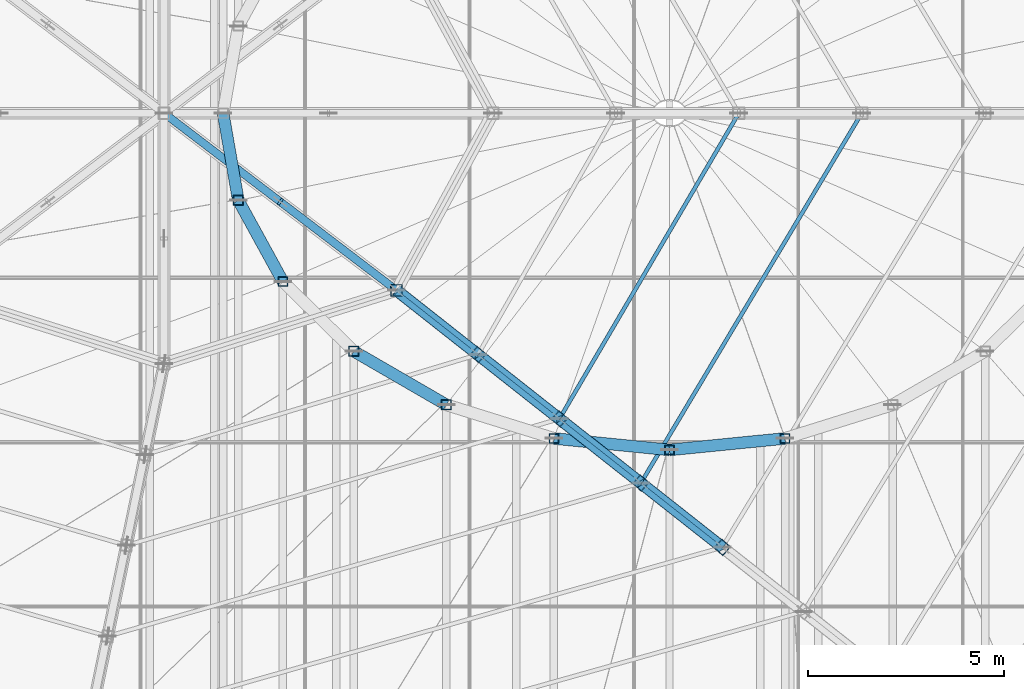
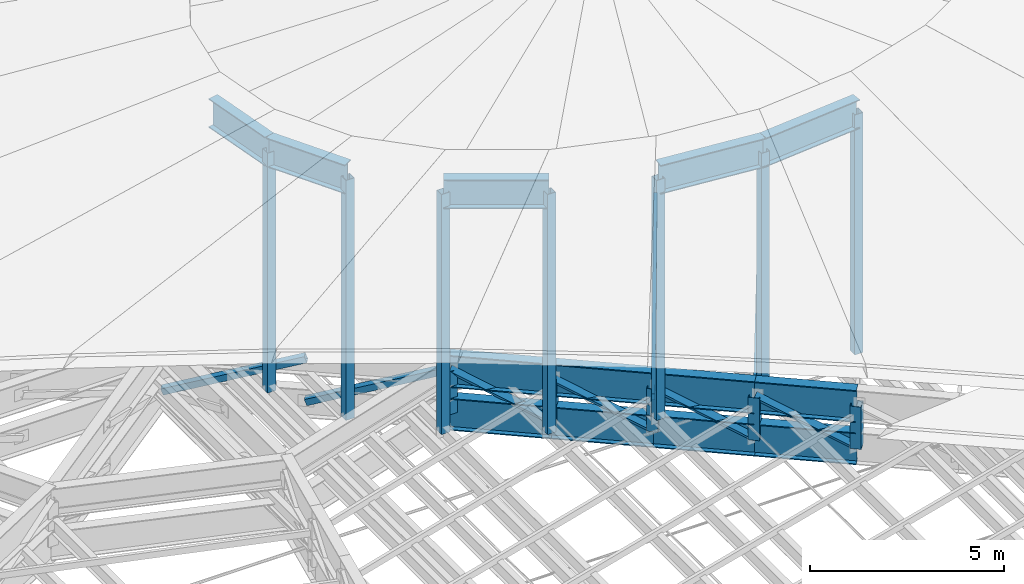
# One storey, part 61 of 184: 20 members, 13 beams.
"""IFC4 building model written with IfcOpenShell, lengths in metres."""

import ifcopenshell
import ifcopenshell.guid

model = None  # the IFC model being written
_history = None  # IfcOwnerHistory: only IFC2X3 demands one
_inside = {}  # id of a spatial element -> (the spatial element, [elements in it])
_under = {}  # id of a project, library or spatial element -> (it, [spatial elements below it])
_declared = {}  # id of a project -> (the project, [libraries it declares])
_typed = {}  # id of a type object -> (the type object, [elements of that type])
_made_of = {}  # id of a material, layer set ... -> (it, [elements and type objects made of it])


def new_model(schema):
    """Start an empty IFC model of exactly this schema.

    Asked for "IFC4X3", IfcOpenShell would pick the latest addendum, in which some entities
    have other attributes; the version numbers below select the first issue.
    IFC2X3 requires an IfcOwnerHistory on every rooted entity: one is made here for all.
    """
    global model, _history
    if schema == "IFC4X3":
        model = ifcopenshell.file(schema_version=(4, 3, 0, 0))
    else:
        model = ifcopenshell.file(schema=schema)
    _inside.clear()
    _under.clear()
    _declared.clear()
    _typed.clear()
    _made_of.clear()
    _history = None
    if model.schema == "IFC2X3":
        org = make("IfcOrganization", Name="unknown")
        user = make(
            "IfcPersonAndOrganization",
            ThePerson=make("IfcPerson", FamilyName="unknown"),
            TheOrganization=org,
        )
        app = make(
            "IfcApplication",
            ApplicationDeveloper=org,
            Version="unknown",
            ApplicationFullName="unknown",
            ApplicationIdentifier="unknown",
        )
        _history = make(
            "IfcOwnerHistory",
            OwningUser=user,
            OwningApplication=app,
            ChangeAction="ADDED",
            CreationDate=0,
        )
    return model


def make(cls, **values):
    """One entity of the class cls with the attributes given. An attribute that is None is left unset."""
    return model.create_entity(
        cls, **{name: value for name, value in values.items() if value is not None}
    )


def rooted(cls, **values):
    """An entity with a GlobalId (a new one), such as an element, a storey or a relation."""
    return make(cls, GlobalId=ifcopenshell.guid.new(), OwnerHistory=_history, **values)


def si_unit(unit_type, name, prefix=None):
    """IfcSIUnit, for example si_unit("LENGTHUNIT", "METRE", prefix="MILLI")."""
    return make("IfcSIUnit", UnitType=unit_type, Prefix=prefix, Name=name)


def assignment(units):
    """IfcUnitAssignment: the units of a project."""
    return None if units is None else make("IfcUnitAssignment", Units=units)


def point(xyz):
    """IfcCartesianPoint."""
    return None if xyz is None else make("IfcCartesianPoint", Coordinates=xyz)


def direction(xyz):
    """IfcDirection."""
    return None if xyz is None else make("IfcDirection", DirectionRatios=xyz)


def frame(location, z_axis=None, x_axis=None):
    """IfcAxis2Placement3D, a coordinate frame: its origin and axes. An axis left out is left unset."""
    return make(
        "IfcAxis2Placement3D",
        Location=point(location),
        Axis=direction(z_axis),
        RefDirection=direction(x_axis),
    )


def frame_2d(location, x_axis=None):
    """IfcAxis2Placement2D, a coordinate frame in the plane: its origin and x axis."""
    return make(
        "IfcAxis2Placement2D", Location=point(location), RefDirection=direction(x_axis)
    )


def origin():
    """The frame at (0, 0, 0) with its axes left unset."""
    return frame((0.0, 0.0, 0.0))


def origin_2d():
    """The frame at (0, 0) in the plane with its x axis left unset."""
    return frame_2d((0.0, 0.0))


def place(relative_to, where):
    """IfcLocalPlacement: puts the frame where relative to a parent placement (None: the world)."""
    return make(
        "IfcLocalPlacement", PlacementRelTo=relative_to, RelativePlacement=where
    )


def context(
    kind, dimensions, precision=None, world=None, true_north=None, identifier=None
):
    """IfcGeometricRepresentationContext, for example the 3D "Model" context."""
    return make(
        "IfcGeometricRepresentationContext",
        ContextIdentifier=identifier,
        ContextType=kind,
        CoordinateSpaceDimension=dimensions,
        Precision=precision,
        WorldCoordinateSystem=world,
        TrueNorth=true_north,
    )


def subcontext(parent, identifier, kind, view, scale=None):
    """IfcGeometricRepresentationSubContext, for example "Body" below "Model"."""
    return make(
        "IfcGeometricRepresentationSubContext",
        ContextIdentifier=identifier,
        ContextType=kind,
        ParentContext=parent,
        TargetScale=scale,
        TargetView=view,
    )


def project(units=None, contexts=None):
    """IfcProject with its units and contexts."""
    return rooted(
        "IfcProject",
        Name="project",
        RepresentationContexts=contexts,
        UnitsInContext=assignment(units),
    )


def spatial(cls, under=None, at=None, **own):
    """A site, building, storey or space (cls), placed at a placement, below another one or the project."""
    s = rooted(cls, ObjectPlacement=at, **own)
    if under is not None:
        _under.setdefault(under.id(), (under, []))[1].append(s)
    return s


def profile(cls, at=None, kind="AREA", **sizes):
    """A parametric profile (cls). Its sizes go by their IFC names, for example OverallWidth=200.0."""
    return make(cls, ProfileType=kind, Position=at, **sizes)


def hollow_rectangle(**sizes):
    """IfcRectangleHollowProfileDef."""
    return profile("IfcRectangleHollowProfileDef", **sizes)


def i_section(**sizes):
    """IfcIShapeProfileDef."""
    return profile("IfcIShapeProfileDef", **sizes)


def extrude(swept, where, along, depth):
    """IfcExtrudedAreaSolid: the profile swept, set in the frame where, extruded along a direction by depth."""
    return make(
        "IfcExtrudedAreaSolid",
        SweptArea=swept,
        Position=where,
        ExtrudedDirection=direction(along),
        Depth=depth,
    )


def shape(context_of_items, identifier, shape_type, items):
    """IfcShapeRepresentation: the items that make up one representation, for example the "Body"."""
    return make(
        "IfcShapeRepresentation",
        ContextOfItems=context_of_items,
        RepresentationIdentifier=identifier,
        RepresentationType=shape_type,
        Items=items,
    )


def material(Name=None, Category=None):
    """IfcMaterial."""
    return make("IfcMaterial", Name=Name, Category=Category)


def material_profile(
    of_material, cross_section, Name=None, Category=None, Priority=None
):
    """IfcMaterialProfile: a cross section and its material."""
    return make(
        "IfcMaterialProfile",
        Name=Name,
        Material=of_material,
        Profile=cross_section,
        Priority=Priority,
        Category=Category,
    )


def profile_set(profiles, Name=None, composite=None):
    """IfcMaterialProfileSet."""
    return make(
        "IfcMaterialProfileSet",
        Name=Name,
        MaterialProfiles=profiles,
        CompositeProfile=composite,
    )


def made_of(thing, what):
    """Note that an element or type object is made of a material, layer set ...; save() writes the relation."""
    if what is not None:
        _made_of.setdefault(what.id(), (what, []))[1].append(thing)
    return thing


def type_object(cls, material=None, **own):
    """A type object (cls), such as IfcWallType, which elements share."""
    return made_of(rooted(cls, **own), material)


def element(
    cls,
    number,
    at=None,
    inside=None,
    cuts=None,
    type_object=None,
    material=None,
    context=None,
    identifier="Body",
    shape_type=None,
    held_by="IfcProductDefinitionShape",
    body=None,
    shapes=None,
    **own,
):
    """One element of the class cls, such as IfcWall. Its Tag is "e" and its number.

    at: its placement. inside: the storey or other place that contains it. cuts: it is an
    opening in that element (IfcRelVoidsElement). A single representation is given by context,
    identifier, shape_type and body (its items); several are given by shapes. held_by: the class
    of the entity that holds the representations. save() writes the other relations.
    """
    e = rooted(cls, Tag="e%d" % number, ObjectPlacement=at, **own)
    if body is not None:
        shapes = [shape(context, identifier, shape_type, body)]
    if shapes is not None:
        e.Representation = make(held_by, Representations=shapes)
    if inside is not None:
        _inside.setdefault(inside.id(), (inside, []))[1].append(e)
    if cuts is not None:
        rooted(
            "IfcRelVoidsElement", RelatingBuildingElement=cuts, RelatedOpeningElement=e
        )
    if type_object is not None:
        _typed.setdefault(type_object.id(), (type_object, []))[1].append(e)
    return made_of(e, material)


def aggregate(whole, parts):
    """IfcRelAggregates: a whole, such as a stair, and the parts it consists of."""
    return rooted("IfcRelAggregates", RelatingObject=whole, RelatedObjects=parts)


def save(model, path):
    """Write the relations noted so far, then the file.

    IfcRelAggregates (storeys below a building ...), IfcRelContainedInSpatialStructure (elements
    in a storey), IfcRelDefinesByType, IfcRelAssociatesMaterial and IfcRelDeclares: one each for
    every whole, place, type object, material and project.
    """
    for whole, parts in _under.values():
        aggregate(whole, parts)
    for where, things in _inside.values():
        rooted(
            "IfcRelContainedInSpatialStructure",
            RelatedElements=things,
            RelatingStructure=where,
        )
    for kind, things in _typed.values():
        rooted("IfcRelDefinesByType", RelatedObjects=things, RelatingType=kind)
    for what, things in _made_of.values():
        rooted("IfcRelAssociatesMaterial", RelatedObjects=things, RelatingMaterial=what)
    for by, libraries in _declared.values():
        rooted("IfcRelDeclares", RelatingContext=by, RelatedDefinitions=libraries)
    model.write(path)


model = new_model("IFC4")

# Units and contexts
model_context = context("Model", 3, precision=1e-05, world=origin(), true_north=direction((0.0, 1.0)))
body_context = subcontext(model_context, "Body", "Model", "MODEL_VIEW")
ifc_project = project(units=[si_unit("LENGTHUNIT", "METRE"), si_unit("AREAUNIT", "SQUARE_METRE"), si_unit("VOLUMEUNIT", "CUBIC_METRE"), si_unit("PLANEANGLEUNIT", "RADIAN"), si_unit("MASSUNIT", "GRAM", prefix="KILO")], contexts=[model_context])

# Site, building, storey
site_placement = place(None, origin())
site = spatial("IfcSite", under=ifc_project, at=site_placement, CompositionType="ELEMENT")
building_placement = place(site_placement, origin())
building = spatial("IfcBuilding", under=site, at=building_placement, Name="Kalgoora Escarpment Arena", CompositionType="ELEMENT")
storey_placement = place(building_placement, frame((0.0, 0.0, 27.60009765625)))
storey = spatial("IfcBuildingStorey", under=building, at=storey_placement, Name="Roof Level", CompositionType="ELEMENT", Elevation=27.60009765625)

# Beams
ifc_material_1 = material(Name="Structural steel Grade 350 (350 MPa)", Category="steel")
ifc_material_profile_1 = material_profile(ifc_material_1, i_section(OverallWidth=0.300048828125, OverallDepth=0.909912109375, WebThickness=0.011962890625, FlangeThickness=0.028076171875, at=origin_2d()))
ifc_profile_set_1 = profile_set([ifc_material_profile_1], Name="Structural steel Grade 350 (350 MPa)")
beam_type_1 = type_object("IfcBeamType", Name="BM-HUB-RING", PredefinedType="USERDEFINED", material=ifc_profile_set_1)
beam_1_placement = place(storey_placement, frame((98.7099609375, 64.0, 6.64990234375), z_axis=(0.171911146532, -0.985112459417, 0.0), x_axis=(0.985112459417, 0.171911146532, 0.0)))
element("IfcBeam", 1, at=beam_1_placement, inside=storey, type_object=beam_type_1, Name="Crown oculus tension RING BEAM chord 13", ObjectType="GIRDER", PredefinedType="USERDEFINED", context=body_context, shape_type="SweptSolid", body=[
    extrude(i_section(OverallWidth=0.300048828125, OverallDepth=0.909912109375, WebThickness=0.011962890625, FlangeThickness=0.028076171875, at=origin_2d()), origin(), (0.0, 0.0, 1.0), 2.259521484375),
])
beam_2_placement = place(storey_placement, frame((99.098388671875, 61.774169921875, 6.64990234375), z_axis=(0.481300781759, -0.876555507357, 0.0), x_axis=(0.876555507357, 0.481300781759, 0.0)))
element("IfcBeam", 2, at=beam_2_placement, inside=storey, type_object=beam_type_1, Name="Crown oculus tension RING BEAM chord 14", ObjectType="GIRDER", PredefinedType="USERDEFINED", context=body_context, shape_type="SweptSolid", body=[
    extrude(i_section(OverallWidth=0.300048828125, OverallDepth=0.909912109375, WebThickness=0.011962890625, FlangeThickness=0.028076171875, at=origin_2d()), origin(), (0.0, 0.0, 1.0), 2.3662109375),
])
beam_3_placement = place(storey_placement, frame((102.049072265625, 57.9189453125, 6.64990234375), z_axis=(0.865442624847, -0.501008046939, 0.0), x_axis=(0.501008046939, 0.865442624847, 0.0)))
element("IfcBeam", 3, at=beam_3_placement, inside=storey, type_object=beam_type_1, Name="Crown oculus tension RING BEAM chord 16", ObjectType="GIRDER", PredefinedType="USERDEFINED", context=body_context, shape_type="SweptSolid", body=[
    extrude(i_section(OverallWidth=0.300048828125, OverallDepth=0.909912109375, WebThickness=0.011962890625, FlangeThickness=0.028076171875, at=origin_2d()), origin(), (0.0, 0.0, 1.0), 2.727783203125),
])
beam_4_placement = place(storey_placement, frame((107.159423828125, 55.693115234375, 6.64990234375), z_axis=(0.995098952266, -0.098884150395, 0.0), x_axis=(0.098884150395, 0.995098952266, 0.0)))
element("IfcBeam", 4, at=beam_4_placement, inside=storey, type_object=beam_type_1, Name="Crown oculus tension RING BEAM chord 18", ObjectType="GIRDER", PredefinedType="USERDEFINED", context=body_context, shape_type="SweptSolid", body=[
    extrude(i_section(OverallWidth=0.300048828125, OverallDepth=0.909912109375, WebThickness=0.011962890625, FlangeThickness=0.028076171875, at=origin_2d()), origin(), (0.0, 0.0, 1.0), 2.96533203125),
])
beam_5_placement = place(storey_placement, frame((110.110107421875, 55.39990234375, 6.64990234375), z_axis=(0.995098147091, 0.098892252764, 0.0), x_axis=(-0.098892252764, 0.995098147091, 0.0)))
element("IfcBeam", 5, at=beam_5_placement, inside=storey, type_object=beam_type_1, Name="Crown oculus tension RING BEAM chord 19", ObjectType="GIRDER", PredefinedType="USERDEFINED", context=body_context, shape_type="SweptSolid", body=[
    extrude(i_section(OverallWidth=0.300048828125, OverallDepth=0.909912109375, WebThickness=0.011962890625, FlangeThickness=0.028076171875, at=origin_2d()), origin(), (0.0, 0.0, 1.0), 2.965087890625),
])
ifc_material_2 = material(Name="Structural steel Grade 350 (350 MPa)", Category="steel")
ifc_material_profile_2 = material_profile(ifc_material_2, i_section(OverallWidth=0.300048828125, OverallDepth=1.010009765625, WebThickness=0.01611328125, FlangeThickness=0.030029296875, at=origin_2d()))
ifc_profile_set_2 = profile_set([ifc_material_profile_2], Name="Structural steel Grade 350 (350 MPa)")
beam_type_2 = type_object("IfcBeamType", Name="BM-TRUSS-CHORD", PredefinedType="USERDEFINED", material=ifc_profile_set_2)
for number, where, z_axis, x_axis, name in (
    (6, (111.468017578125, 52.905029296875, -1.6201171875), (-0.785161808854, 0.619287699399, 0.001918147741), (-0.619288838671, -0.785163253277, 0.0), "Radial ROOF TRUSS spine 8 bottom chord 8"),
    (7, (111.468017578125, 52.905029296875, -0.2900390625), (-0.78515774748, 0.619284496035, 0.003744935743), (-0.619288838671, -0.785163253277, 0.0), "Radial ROOF TRUSS spine 8 top chord 8"),
):
    element("IfcBeam", number, at=place(storey_placement, frame(where, z_axis=z_axis, x_axis=x_axis)), inside=storey, type_object=beam_type_2, Name=name, ObjectType="GIRDER", PredefinedType="USERDEFINED", context=body_context, shape_type="SweptSolid", body=[
        extrude(i_section(OverallWidth=0.300048828125, OverallDepth=1.010009765625, WebThickness=0.01611328125, FlangeThickness=0.030029296875, at=origin_2d()), origin(), (0.0, 0.0, 1.0), 2.6728515625),
    ])
for number, where, z_axis, x_axis, name in (
    (8, (109.38818359375, 54.545654296875, -1.614990234375), (-0.785126908443, 0.619332220971, 0.001826938705), (-0.619333254548, -0.785128218708, 0.0), "Radial ROOF TRUSS spine 8 bottom chord 9"),
    (9, (109.38818359375, 54.545654296875, -0.280029296875), (-0.785122712366, 0.619328910976, 0.003745204329), (-0.619333254548, -0.785128218708, 0.0), "Radial ROOF TRUSS spine 8 top chord 9"),
):
    element("IfcBeam", number, at=place(storey_placement, frame(where, z_axis=z_axis, x_axis=x_axis)), inside=storey, type_object=beam_type_2, Name=name, ObjectType="GIRDER", PredefinedType="USERDEFINED", context=body_context, shape_type="SweptSolid", body=[
        extrude(i_section(OverallWidth=0.300048828125, OverallDepth=1.010009765625, WebThickness=0.01611328125, FlangeThickness=0.030029296875, at=origin_2d()), origin(), (0.0, 0.0, 1.0), 2.672607421875),
    ])
for number, where, z_axis, x_axis, name in (
    (10, (107.30859375, 56.18603515625, -1.610107421875), (-0.785161808854, 0.619287699399, 0.001918147741), (-0.619288838671, -0.785163253277, 0.0), "Radial ROOF TRUSS spine 8 bottom chord 10"),
    (11, (107.30859375, 56.18603515625, -0.27001953125), (-0.78515774748, 0.619284496035, 0.003744935743), (-0.619288838671, -0.785163253277, 0.0), "Radial ROOF TRUSS spine 8 top chord 10"),
):
    element("IfcBeam", number, at=place(storey_placement, frame(where, z_axis=z_axis, x_axis=x_axis)), inside=storey, type_object=beam_type_2, Name=name, ObjectType="GIRDER", PredefinedType="USERDEFINED", context=body_context, shape_type="SweptSolid", body=[
        extrude(i_section(OverallWidth=0.300048828125, OverallDepth=1.010009765625, WebThickness=0.01611328125, FlangeThickness=0.030029296875, at=origin_2d()), origin(), (0.0, 0.0, 1.0), 2.6728515625),
    ])
for number, where, z_axis, x_axis, name in (
    (12, (105.228759765625, 57.82666015625, -1.60498046875), (-0.785126908443, 0.619332220971, 0.001826938705), (-0.619333254548, -0.785128218708, 0.0), "Radial ROOF TRUSS spine 8 bottom chord 11"),
    (13, (105.228759765625, 57.82666015625, -0.260009765625), (-0.785122712366, 0.619328910976, 0.003745204329), (-0.619333254548, -0.785128218708, 0.0), "Radial ROOF TRUSS spine 8 top chord 11"),
):
    element("IfcBeam", number, at=place(storey_placement, frame(where, z_axis=z_axis, x_axis=x_axis)), inside=storey, type_object=beam_type_2, Name=name, ObjectType="GIRDER", PredefinedType="USERDEFINED", context=body_context, shape_type="SweptSolid", body=[
        extrude(i_section(OverallWidth=0.300048828125, OverallDepth=1.010009765625, WebThickness=0.01611328125, FlangeThickness=0.030029296875, at=origin_2d()), origin(), (0.0, 0.0, 1.0), 2.672607421875),
    ])

# Members
ifc_material_3 = material(Name="Structural steel C450 (450 MPa)", Category="steel")
ifc_material_profile_3 = material_profile(ifc_material_3, hollow_rectangle(XDim=0.25, YDim=0.25, WallThickness=0.012451171875, at=origin_2d()))
ifc_profile_set_3 = profile_set([ifc_material_profile_3], Name="Structural steel C450 (450 MPa)")
member_type_1 = type_object("IfcMemberType", Name="MEM-PETAL-POST", PredefinedType="POST", material=ifc_profile_set_3)
for number, where, z_axis, x_axis, name in (
    (14, (99.098388671875, 61.774169921875, -0.900146484375), (0.0, 0.0, 1.0), (1.0, 0.0, 0.0), "Crown dome vertical post 14"),
    (15, (100.2373046875, 59.699951171875, -0.900146484375), (0.0, 0.0, 1.0), (1.0, 0.0, 0.0), "Crown dome vertical post 15"),
    (16, (102.049072265625, 57.9189453125, -0.900146484375), (0.0, 0.0, 1.0), (1.0, 0.0, 0.0), "Crown dome vertical post 16"),
    (17, (104.409912109375, 56.55224609375, -0.900146484375), (0.0, 0.0, 1.0), (1.0, 0.0, 0.0), "Crown dome vertical post 17"),
    (18, (107.159423828125, 55.693115234375, -0.900146484375), (0.0, 0.0, 1.0), (1.0, 0.0, 0.0), "Crown dome vertical post 18"),
    (19, (110.110107421875, 55.39990234375, -0.900146484375), (0.0, 0.0, 1.0), (1.0, 0.0, 0.0), "Crown dome vertical post 19"),
    (20, (113.060546875, 55.693115234375, -0.900146484375), (0.0, 0.0, 1.0), (1.0, 0.0, 0.0), "Crown dome vertical post 20"),
):
    element("IfcMember", number, at=place(storey_placement, frame(where, z_axis=z_axis, x_axis=x_axis)), inside=storey, type_object=member_type_1, Name=name, PredefinedType="POST", context=body_context, shape_type="SweptSolid", body=[
        extrude(hollow_rectangle(XDim=0.25, YDim=0.25, WallThickness=0.012451171875, at=origin_2d()), origin(), (0.0, 0.0, 1.0), 7.550048828125),
    ])
ifc_material_4 = material(Name="Structural steel C350 (350 MPa)", Category="steel")
ifc_material_profile_4 = material_profile(ifc_material_4, hollow_rectangle(XDim=0.10009765625, YDim=0.199951171875, WallThickness=0.009033203125, at=origin_2d()))
ifc_profile_set_4 = profile_set([ifc_material_profile_4], Name="Structural steel C350 (350 MPa)")
member_type_2 = type_object("IfcMemberType", Name="MEM-PURLIN-RHS", PredefinedType="PURLIN", material=ifc_profile_set_4)
member_1_placement = place(storey_placement, frame((109.37890625, 54.552978515625, -0.630126953125), z_axis=(0.51268364842, 0.85857758918, 0.0), x_axis=(-0.85857758918, 0.51268364842, 0.0)))
element("IfcMember", 21, at=member_1_placement, inside=storey, type_object=member_type_2, Name="Roof circumferential purlin ring 8 sector 8", PredefinedType="PURLIN", context=body_context, shape_type="SweptSolid", body=[
    extrude(hollow_rectangle(XDim=0.10009765625, YDim=0.199951171875, WallThickness=0.009033203125, at=origin_2d()), origin(), (0.0, 0.0, 1.0), 11.003173828125),
])
member_2_placement = place(storey_placement, frame((107.29931640625, 56.193603515625, -0.6201171875), z_axis=(0.506081500195, 0.862485660843, 0.0), x_axis=(-0.862485660843, 0.506081500195, 0.0)))
element("IfcMember", 22, at=member_2_placement, inside=storey, type_object=member_type_2, Name="Roof circumferential purlin ring 9 sector 8", PredefinedType="PURLIN", context=body_context, shape_type="SweptSolid", body=[
    extrude(hollow_rectangle(XDim=0.10009765625, YDim=0.199951171875, WallThickness=0.009033203125, at=origin_2d()), origin(), (0.0, 0.0, 1.0), 9.051025390625),
])
ifc_material_5 = material(Name="Structural steel C350 (350 MPa)", Category="steel")
ifc_material_profile_5 = material_profile(ifc_material_5, hollow_rectangle(XDim=0.199951171875, YDim=0.199951171875, WallThickness=0.009033203125, at=origin_2d()))
ifc_profile_set_5 = profile_set([ifc_material_profile_5], Name="Structural steel C350 (350 MPa)")
member_type_3 = type_object("IfcMemberType", Name="MEM-TRUSS-DIAG", PredefinedType="BRACE", material=ifc_profile_set_5)
for number, where, z_axis, x_axis, name in (
    (23, (97.199951171875, 64.0, -1.60009765625), (0.748046980047, -0.569905418091, 0.340049305356), (0.606019573857, 0.795449731977, 0.0), "Central ROOF TRUSS hub web diagonal 4-3"),
    (24, (100.169921875, 61.7373046875, -1.60009765625), (0.748019895636, -0.569931633735, 0.340064947621), (0.606051096023, 0.795425715582, 0.0), "Central ROOF TRUSS hub web diagonal 4-4"),
):
    element("IfcMember", number, at=place(storey_placement, frame(where, z_axis=z_axis, x_axis=x_axis)), inside=storey, type_object=member_type_3, Name=name, PredefinedType="BRACE", context=body_context, shape_type="SweptSolid", body=[
        extrude(hollow_rectangle(XDim=0.199951171875, YDim=0.199951171875, WallThickness=0.009033203125, at=origin_2d()), origin(), (0.0, 0.0, 1.0), 3.97021484375),
    ])
member_3_placement = place(storey_placement, frame((111.45849609375, 52.91259765625, -1.6201171875), z_axis=(-0.700576799361, 0.552615110931, 0.451451755305), x_axis=(0.700236700393, 0.410643317243, 0.583986840115)))
element("IfcMember", 25, at=member_3_placement, inside=storey, type_object=member_type_3, Name="Radial ROOF TRUSS spine 8 web diagonal 8", PredefinedType="BRACE", context=body_context, shape_type="SweptSolid", body=[
    extrude(hollow_rectangle(XDim=0.199951171875, YDim=0.199951171875, WallThickness=0.009033203125, at=origin_2d()), origin(), (0.0, 0.0, 1.0), 2.968505859375),
])
member_4_placement = place(storey_placement, frame((109.37890625, 54.552978515625, -1.614990234375), z_axis=(-0.700024407729, 0.552261566088, 0.4527394297), x_axis=(0.700928056331, 0.410070662677, 0.583559689714)))
element("IfcMember", 26, at=member_4_placement, inside=storey, type_object=member_type_3, Name="Radial ROOF TRUSS spine 8 web diagonal 9", PredefinedType="BRACE", context=body_context, shape_type="SweptSolid", body=[
    extrude(hollow_rectangle(XDim=0.199951171875, YDim=0.199951171875, WallThickness=0.009033203125, at=origin_2d()), origin(), (0.0, 0.0, 1.0), 2.970703125),
])
member_5_placement = place(storey_placement, frame((107.29931640625, 56.193603515625, -1.610107421875), z_axis=(-0.699550678116, 0.551740932769, 0.454104384315), x_axis=(0.701576389828, 0.409608175423, 0.583105232238)))
element("IfcMember", 27, at=member_5_placement, inside=storey, type_object=member_type_3, Name="Radial ROOF TRUSS spine 8 web diagonal 10", PredefinedType="BRACE", context=body_context, shape_type="SweptSolid", body=[
    extrude(hollow_rectangle(XDim=0.199951171875, YDim=0.199951171875, WallThickness=0.009033203125, at=origin_2d()), origin(), (0.0, 0.0, 1.0), 2.97314453125),
])
member_6_placement = place(storey_placement, frame((105.219482421875, 57.833984375, -1.60498046875), z_axis=(-0.698996978293, 0.551386277043, 0.455385987736), x_axis=(0.702264580271, 0.409037923863, 0.582676956931)))
element("IfcMember", 28, at=member_6_placement, inside=storey, type_object=member_type_3, Name="Radial ROOF TRUSS spine 8 web diagonal 11", PredefinedType="BRACE", context=body_context, shape_type="SweptSolid", body=[
    extrude(hollow_rectangle(XDim=0.199951171875, YDim=0.199951171875, WallThickness=0.009033203125, at=origin_2d()), origin(), (0.0, 0.0, 1.0), 2.975341796875),
])
ifc_material_6 = material(Name="Structural steel C450 (450 MPa)", Category="steel")
ifc_material_profile_6 = material_profile(ifc_material_6, hollow_rectangle(XDim=0.300048828125, YDim=0.300048828125, WallThickness=0.012451171875, at=origin_2d()))
ifc_profile_set_6 = profile_set([ifc_material_profile_6], Name="Structural steel C450 (450 MPa)")
member_type_4 = type_object("IfcMemberType", Name="MEM-TRUSS-POST", PredefinedType="POST", material=ifc_profile_set_6)
member_7_placement = place(storey_placement, frame((103.1396484375, 59.474609375, -1.60009765625), z_axis=(0.0, 0.0, 1.0), x_axis=(1.0, 0.0, 0.0)))
element("IfcMember", 29, at=member_7_placement, inside=storey, type_object=member_type_4, Name="Central ROOF TRUSS hub post 8", PredefinedType="POST", context=body_context, shape_type="SweptSolid", body=[
    extrude(hollow_rectangle(XDim=0.300048828125, YDim=0.300048828125, WallThickness=0.012451171875, at=origin_2d()), origin(), (0.0, 0.0, 1.0), 1.35009765625),
])
member_8_placement = place(storey_placement, frame((111.45849609375, 52.91259765625, -1.6201171875), z_axis=(0.0, 0.0, 1.0), x_axis=(-0.756081970773, 0.6544769312, 0.0)))
element("IfcMember", 30, at=member_8_placement, inside=storey, type_object=member_type_4, Name="Radial ROOF TRUSS spine 8 post 7", PredefinedType="POST", context=body_context, shape_type="SweptSolid", body=[
    extrude(hollow_rectangle(XDim=0.300048828125, YDim=0.300048828125, WallThickness=0.012451171875, at=origin_2d()), origin(), (0.0, 0.0, 1.0), 1.330078125),
])
member_9_placement = place(storey_placement, frame((109.37890625, 54.552978515625, -1.614990234375), z_axis=(0.0, 0.0, 1.0), x_axis=(-0.756081970773, 0.6544769312, 0.0)))
element("IfcMember", 31, at=member_9_placement, inside=storey, type_object=member_type_4, Name="Radial ROOF TRUSS spine 8 post 8", PredefinedType="POST", context=body_context, shape_type="SweptSolid", body=[
    extrude(hollow_rectangle(XDim=0.300048828125, YDim=0.300048828125, WallThickness=0.012451171875, at=origin_2d()), origin(), (0.0, 0.0, 1.0), 1.3349609375),
])
member_10_placement = place(storey_placement, frame((107.29931640625, 56.193603515625, -1.610107421875), z_axis=(0.0, 0.0, 1.0), x_axis=(-0.756081970773, 0.6544769312, 0.0)))
element("IfcMember", 32, at=member_10_placement, inside=storey, type_object=member_type_4, Name="Radial ROOF TRUSS spine 8 post 9", PredefinedType="POST", context=body_context, shape_type="SweptSolid", body=[
    extrude(hollow_rectangle(XDim=0.300048828125, YDim=0.300048828125, WallThickness=0.012451171875, at=origin_2d()), origin(), (0.0, 0.0, 1.0), 1.340087890625),
])
member_11_placement = place(storey_placement, frame((105.219482421875, 57.833984375, -1.60498046875), z_axis=(0.0, 0.0, 1.0), x_axis=(-0.756081970773, 0.6544769312, 0.0)))
element("IfcMember", 33, at=member_11_placement, inside=storey, type_object=member_type_4, Name="Radial ROOF TRUSS spine 8 post 10", PredefinedType="POST", context=body_context, shape_type="SweptSolid", body=[
    extrude(hollow_rectangle(XDim=0.300048828125, YDim=0.300048828125, WallThickness=0.012451171875, at=origin_2d()), origin(), (0.0, 0.0, 1.0), 1.344970703125),
])

save(model, "model.ifc")
